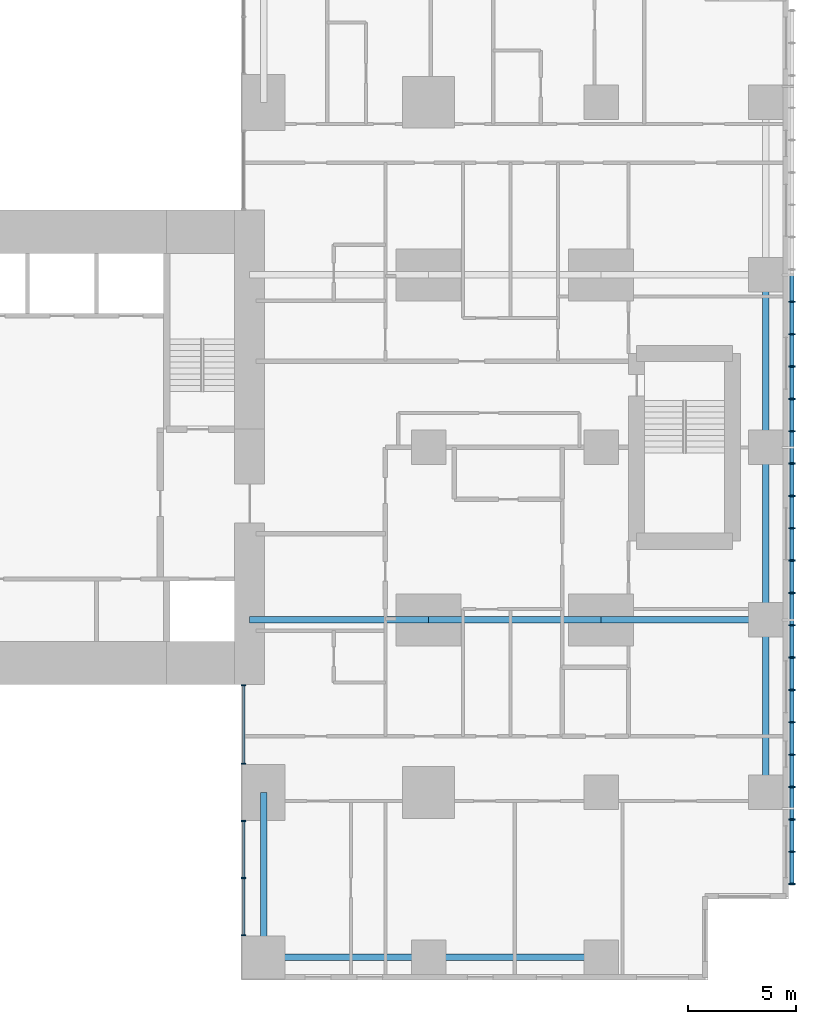
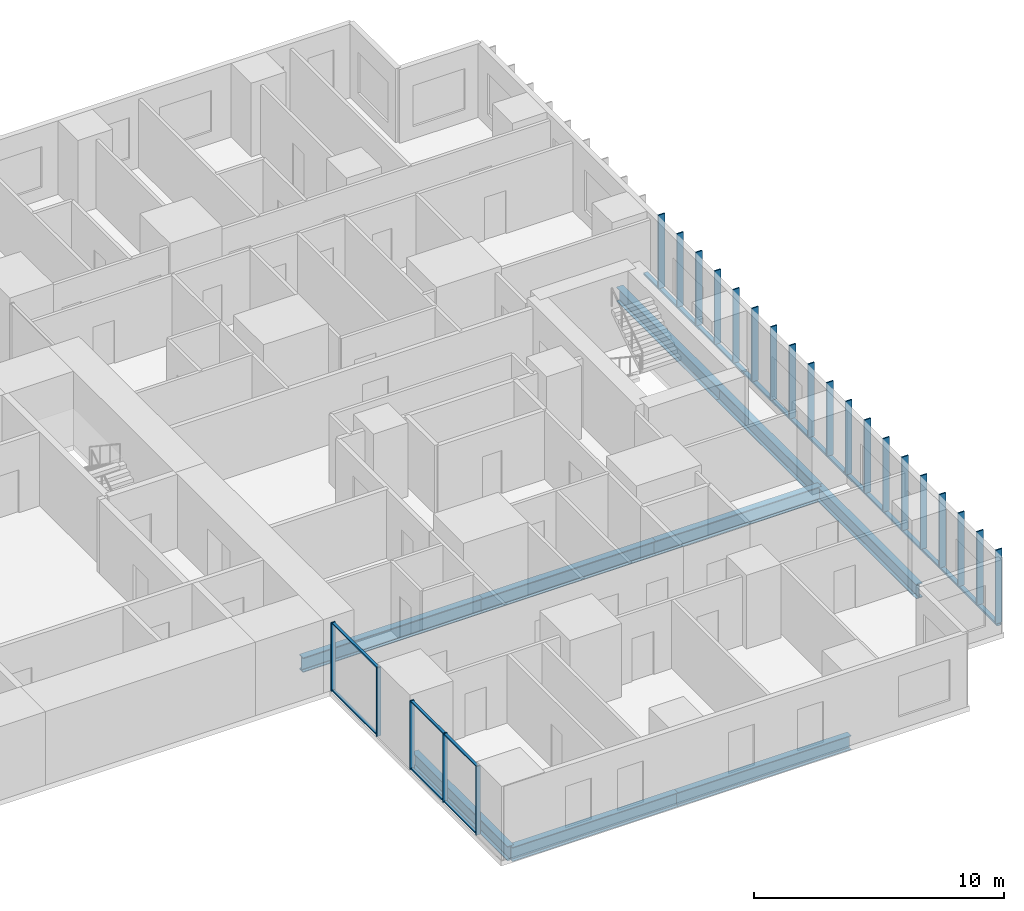
# One storey, part 2 of 12: 33 members, 9 beams, 2 elements without a shape of their own.
"""IFC4 building model written with IfcOpenShell, lengths in metres."""

import ifcopenshell
import ifcopenshell.guid

model = None  # the IFC model being written
_history = None  # IfcOwnerHistory: only IFC2X3 demands one
_inside = {}  # id of a spatial element -> (the spatial element, [elements in it])
_under = {}  # id of a project, library or spatial element -> (it, [spatial elements below it])
_declared = {}  # id of a project -> (the project, [libraries it declares])
_typed = {}  # id of a type object -> (the type object, [elements of that type])
_made_of = {}  # id of a material, layer set ... -> (it, [elements and type objects made of it])


def new_model(schema):
    """Start an empty IFC model of exactly this schema.

    Asked for "IFC4X3", IfcOpenShell would pick the latest addendum, in which some entities
    have other attributes; the version numbers below select the first issue.
    IFC2X3 requires an IfcOwnerHistory on every rooted entity: one is made here for all.
    """
    global model, _history
    if schema == "IFC4X3":
        model = ifcopenshell.file(schema_version=(4, 3, 0, 0))
    else:
        model = ifcopenshell.file(schema=schema)
    _inside.clear()
    _under.clear()
    _declared.clear()
    _typed.clear()
    _made_of.clear()
    _history = None
    if model.schema == "IFC2X3":
        org = make("IfcOrganization", Name="unknown")
        user = make(
            "IfcPersonAndOrganization",
            ThePerson=make("IfcPerson", FamilyName="unknown"),
            TheOrganization=org,
        )
        app = make(
            "IfcApplication",
            ApplicationDeveloper=org,
            Version="unknown",
            ApplicationFullName="unknown",
            ApplicationIdentifier="unknown",
        )
        _history = make(
            "IfcOwnerHistory",
            OwningUser=user,
            OwningApplication=app,
            ChangeAction="ADDED",
            CreationDate=0,
        )
    return model


def make(cls, **values):
    """One entity of the class cls with the attributes given. An attribute that is None is left unset."""
    return model.create_entity(
        cls, **{name: value for name, value in values.items() if value is not None}
    )


def rooted(cls, **values):
    """An entity with a GlobalId (a new one), such as an element, a storey or a relation."""
    return make(cls, GlobalId=ifcopenshell.guid.new(), OwnerHistory=_history, **values)


def si_unit(unit_type, name, prefix=None):
    """IfcSIUnit, for example si_unit("LENGTHUNIT", "METRE", prefix="MILLI")."""
    return make("IfcSIUnit", UnitType=unit_type, Prefix=prefix, Name=name)


def assignment(units):
    """IfcUnitAssignment: the units of a project."""
    return None if units is None else make("IfcUnitAssignment", Units=units)


def point(xyz):
    """IfcCartesianPoint."""
    return None if xyz is None else make("IfcCartesianPoint", Coordinates=xyz)


def direction(xyz):
    """IfcDirection."""
    return None if xyz is None else make("IfcDirection", DirectionRatios=xyz)


def frame(location, z_axis=None, x_axis=None):
    """IfcAxis2Placement3D, a coordinate frame: its origin and axes. An axis left out is left unset."""
    return make(
        "IfcAxis2Placement3D",
        Location=point(location),
        Axis=direction(z_axis),
        RefDirection=direction(x_axis),
    )


def frame_2d(location, x_axis=None):
    """IfcAxis2Placement2D, a coordinate frame in the plane: its origin and x axis."""
    return make(
        "IfcAxis2Placement2D", Location=point(location), RefDirection=direction(x_axis)
    )


def origin():
    """The frame at (0, 0, 0) with its axes left unset."""
    return frame((0.0, 0.0, 0.0))


def origin_2d():
    """The frame at (0, 0) in the plane with its x axis left unset."""
    return frame_2d((0.0, 0.0))


def place(relative_to, where):
    """IfcLocalPlacement: puts the frame where relative to a parent placement (None: the world)."""
    return make(
        "IfcLocalPlacement", PlacementRelTo=relative_to, RelativePlacement=where
    )


def context(
    kind, dimensions, precision=None, world=None, true_north=None, identifier=None
):
    """IfcGeometricRepresentationContext, for example the 3D "Model" context."""
    return make(
        "IfcGeometricRepresentationContext",
        ContextIdentifier=identifier,
        ContextType=kind,
        CoordinateSpaceDimension=dimensions,
        Precision=precision,
        WorldCoordinateSystem=world,
        TrueNorth=true_north,
    )


def subcontext(parent, identifier, kind, view, scale=None):
    """IfcGeometricRepresentationSubContext, for example "Body" below "Model"."""
    return make(
        "IfcGeometricRepresentationSubContext",
        ContextIdentifier=identifier,
        ContextType=kind,
        ParentContext=parent,
        TargetScale=scale,
        TargetView=view,
    )


def project(units=None, contexts=None):
    """IfcProject with its units and contexts."""
    return rooted(
        "IfcProject",
        Name="project",
        RepresentationContexts=contexts,
        UnitsInContext=assignment(units),
    )


def spatial(cls, under=None, at=None, **own):
    """A site, building, storey or space (cls), placed at a placement, below another one or the project."""
    s = rooted(cls, ObjectPlacement=at, **own)
    if under is not None:
        _under.setdefault(under.id(), (under, []))[1].append(s)
    return s


def profile(cls, at=None, kind="AREA", **sizes):
    """A parametric profile (cls). Its sizes go by their IFC names, for example OverallWidth=200.0."""
    return make(cls, ProfileType=kind, Position=at, **sizes)


def rectangle(**sizes):
    """IfcRectangleProfileDef."""
    return profile("IfcRectangleProfileDef", **sizes)


def hollow_rectangle(**sizes):
    """IfcRectangleHollowProfileDef."""
    return profile("IfcRectangleHollowProfileDef", **sizes)


def i_section(**sizes):
    """IfcIShapeProfileDef."""
    return profile("IfcIShapeProfileDef", **sizes)


def extrude(swept, where, along, depth):
    """IfcExtrudedAreaSolid: the profile swept, set in the frame where, extruded along a direction by depth."""
    return make(
        "IfcExtrudedAreaSolid",
        SweptArea=swept,
        Position=where,
        ExtrudedDirection=direction(along),
        Depth=depth,
    )


def shape(context_of_items, identifier, shape_type, items):
    """IfcShapeRepresentation: the items that make up one representation, for example the "Body"."""
    return make(
        "IfcShapeRepresentation",
        ContextOfItems=context_of_items,
        RepresentationIdentifier=identifier,
        RepresentationType=shape_type,
        Items=items,
    )


def material(Name=None, Category=None):
    """IfcMaterial."""
    return make("IfcMaterial", Name=Name, Category=Category)


def layer(
    of_material, thickness, ventilated=None, Name=None, Category=None, Priority=None
):
    """IfcMaterialLayer: one layer of a wall or slab, of a material (None: an air gap)."""
    return make(
        "IfcMaterialLayer",
        Material=of_material,
        LayerThickness=thickness,
        IsVentilated=ventilated,
        Name=Name,
        Category=Category,
        Priority=Priority,
    )


def layer_set(layers, Name=None):
    """IfcMaterialLayerSet."""
    return make("IfcMaterialLayerSet", MaterialLayers=layers, LayerSetName=Name)


def material_profile(
    of_material, cross_section, Name=None, Category=None, Priority=None
):
    """IfcMaterialProfile: a cross section and its material."""
    return make(
        "IfcMaterialProfile",
        Name=Name,
        Material=of_material,
        Profile=cross_section,
        Priority=Priority,
        Category=Category,
    )


def profile_set(profiles, Name=None, composite=None):
    """IfcMaterialProfileSet."""
    return make(
        "IfcMaterialProfileSet",
        Name=Name,
        MaterialProfiles=profiles,
        CompositeProfile=composite,
    )


def made_of(thing, what):
    """Note that an element or type object is made of a material, layer set ...; save() writes the relation."""
    if what is not None:
        _made_of.setdefault(what.id(), (what, []))[1].append(thing)
    return thing


def type_object(cls, material=None, **own):
    """A type object (cls), such as IfcWallType, which elements share."""
    return made_of(rooted(cls, **own), material)


def element(
    cls,
    number,
    at=None,
    inside=None,
    cuts=None,
    type_object=None,
    material=None,
    context=None,
    identifier="Body",
    shape_type=None,
    held_by="IfcProductDefinitionShape",
    body=None,
    shapes=None,
    **own,
):
    """One element of the class cls, such as IfcWall. Its Tag is "e" and its number.

    at: its placement. inside: the storey or other place that contains it. cuts: it is an
    opening in that element (IfcRelVoidsElement). A single representation is given by context,
    identifier, shape_type and body (its items); several are given by shapes. held_by: the class
    of the entity that holds the representations. save() writes the other relations.
    """
    e = rooted(cls, Tag="e%d" % number, ObjectPlacement=at, **own)
    if body is not None:
        shapes = [shape(context, identifier, shape_type, body)]
    if shapes is not None:
        e.Representation = make(held_by, Representations=shapes)
    if inside is not None:
        _inside.setdefault(inside.id(), (inside, []))[1].append(e)
    if cuts is not None:
        rooted(
            "IfcRelVoidsElement", RelatingBuildingElement=cuts, RelatedOpeningElement=e
        )
    if type_object is not None:
        _typed.setdefault(type_object.id(), (type_object, []))[1].append(e)
    return made_of(e, material)


def aggregate(whole, parts):
    """IfcRelAggregates: a whole, such as a stair, and the parts it consists of."""
    return rooted("IfcRelAggregates", RelatingObject=whole, RelatedObjects=parts)


def save(model, path):
    """Write the relations noted so far, then the file.

    IfcRelAggregates (storeys below a building ...), IfcRelContainedInSpatialStructure (elements
    in a storey), IfcRelDefinesByType, IfcRelAssociatesMaterial and IfcRelDeclares: one each for
    every whole, place, type object, material and project.
    """
    for whole, parts in _under.values():
        aggregate(whole, parts)
    for where, things in _inside.values():
        rooted(
            "IfcRelContainedInSpatialStructure",
            RelatedElements=things,
            RelatingStructure=where,
        )
    for kind, things in _typed.values():
        rooted("IfcRelDefinesByType", RelatedObjects=things, RelatingType=kind)
    for what, things in _made_of.values():
        rooted("IfcRelAssociatesMaterial", RelatedObjects=things, RelatingMaterial=what)
    for by, libraries in _declared.values():
        rooted("IfcRelDeclares", RelatingContext=by, RelatedDefinitions=libraries)
    model.write(path)


model = new_model("IFC4")

# Units and contexts
model_context = context("Model", 3, precision=1e-05, world=origin(), true_north=direction((0.0, 1.0)))
body_context = subcontext(model_context, "Body", "Model", "MODEL_VIEW")
ifc_project = project(units=[si_unit("LENGTHUNIT", "METRE"), si_unit("AREAUNIT", "SQUARE_METRE"), si_unit("VOLUMEUNIT", "CUBIC_METRE"), si_unit("PLANEANGLEUNIT", "RADIAN"), si_unit("MASSUNIT", "GRAM", prefix="KILO")], contexts=[model_context])

# Site, building, storey
site_placement = place(None, origin())
site = spatial("IfcSite", under=ifc_project, at=site_placement, CompositionType="ELEMENT")
building_placement = place(site_placement, origin())
building = spatial("IfcBuilding", under=site, at=building_placement, Name="Cleftline Residences", CompositionType="ELEMENT")
storey_placement = place(building_placement, frame((0.0, 0.0, 262.800048828125)))
storey = spatial("IfcBuildingStorey", under=building, at=storey_placement, Name="L69", CompositionType="ELEMENT", Elevation=262.800048828125)

# Members
ifc_material_1 = material(Name="Steel S355, hot-dip galvanised", Category="steel")
ifc_material_profile_1 = material_profile(ifc_material_1, hollow_rectangle(XDim=0.10009765625, YDim=0.199951171875, WallThickness=0.008056640625, InnerFilletRadius=0.008056640625, OuterFilletRadius=0.011962890625, at=origin_2d()))
ifc_profile_set_1 = profile_set([ifc_material_profile_1], Name="Steel S355, hot-dip galvanised")
member_type_1 = type_object("IfcMemberType", Name="BAGUETTE CARRIER RHS 200X100X8", PredefinedType="USERDEFINED", material=ifc_profile_set_1)
member_1_placement = place(storey_placement, frame((66.85009765625, 3.699951171875, -0.050048828125), z_axis=(0.0, 1.0, 0.0), x_axis=(0.0, 0.0, 1.0)))
element("IfcMember", 1, at=member_1_placement, inside=storey, type_object=member_type_1, Name="Baguette carrier", ObjectType="BAGUETTE CARRIER", PredefinedType="USERDEFINED", context=body_context, shape_type="SweptSolid", body=[
    extrude(hollow_rectangle(XDim=0.10009765625, YDim=0.199951171875, WallThickness=0.008056640625, InnerFilletRadius=0.008056640625, OuterFilletRadius=0.011962890625, at=origin_2d()), origin(), (0.0, 0.0, 1.0), 12.300048828125),
])
for number, where, z_axis, x_axis, name in (
    (2, (66.85009765625, 16.0, -0.050048828125), (0.0, 1.0, 0.0), (0.0, 0.0, 1.0), "Baguette carrier"),
    (3, (66.85009765625, 24.0, -0.050048828125), (0.0, 1.0, 0.0), (0.0, 0.0, 1.0), "Baguette carrier"),
):
    element("IfcMember", number, at=place(storey_placement, frame(where, z_axis=z_axis, x_axis=x_axis)), inside=storey, type_object=member_type_1, Name=name, ObjectType="BAGUETTE CARRIER", PredefinedType="USERDEFINED", context=body_context, shape_type="SweptSolid", body=[
        extrude(hollow_rectangle(XDim=0.10009765625, YDim=0.199951171875, WallThickness=0.008056640625, InnerFilletRadius=0.008056640625, OuterFilletRadius=0.011962890625, at=origin_2d()), origin(), (0.0, 0.0, 1.0), 8.0),
    ])

# Beams
ifc_material_2 = material(Name="Steel S355", Category="steel")
ifc_material_profile_2 = material_profile(ifc_material_2, i_section(OverallWidth=0.300048828125, OverallDepth=0.699951171875, WebThickness=0.01708984375, FlangeThickness=0.031982421875, FilletRadius=0.027099609375, at=origin_2d()))
ifc_profile_set_2 = profile_set([ifc_material_profile_2], Name="Steel S355")
beam_type_1 = type_object("IfcBeamType", Name="BEAM HEB 700", PredefinedType="BEAM", material=ifc_profile_set_2)
for number, where, z_axis, x_axis, name in (
    (4, (65.64990234375, 8.0, -0.60009765625), (0.0, 1.0, 0.0), (-1.0, 0.0, 0.0), "Edge beam"),
    (5, (65.64990234375, 16.0, -0.60009765625), (0.0, 1.0, 0.0), (-1.0, 0.0, 0.0), "Edge beam"),
    (6, (65.64990234375, 24.0, -0.60009765625), (0.0, 1.0, 0.0), (-1.0, 0.0, 0.0), "Edge beam"),
    (7, (58.0, 0.35009765625, -0.60009765625), (-1.0, 0.0, 0.0), (0.0, -1.0, 0.0), "Edge beam"),
):
    element("IfcBeam", number, at=place(storey_placement, frame(where, z_axis=z_axis, x_axis=x_axis)), inside=storey, type_object=beam_type_1, Name=name, PredefinedType="BEAM", context=body_context, shape_type="SweptSolid", body=[
        extrude(i_section(OverallWidth=0.300048828125, OverallDepth=0.699951171875, WebThickness=0.01708984375, FlangeThickness=0.031982421875, FilletRadius=0.027099609375, at=origin_2d()), origin(), (0.0, 0.0, 1.0), 8.0),
    ])
for number, where, z_axis, x_axis, name in (
    (8, (50.0, 0.35009765625, -0.60009765625), (-1.0, 0.0, 0.0), (0.0, -1.0, 0.0), "Edge beam"),
    (9, (42.35009765625, 0.35009765625, -0.60009765625), (0.0, 1.0, 0.0), (-1.0, 0.0, 0.0), "Edge beam"),
):
    element("IfcBeam", number, at=place(storey_placement, frame(where, z_axis=z_axis, x_axis=x_axis)), inside=storey, type_object=beam_type_1, Name=name, PredefinedType="BEAM", context=body_context, shape_type="SweptSolid", body=[
        extrude(i_section(OverallWidth=0.300048828125, OverallDepth=0.699951171875, WebThickness=0.01708984375, FlangeThickness=0.031982421875, FilletRadius=0.027099609375, at=origin_2d()), origin(), (0.0, 0.0, 1.0), 7.64990234375),
    ])
ifc_material_3 = material(Name="Steel S355", Category="steel")
ifc_material_profile_3 = material_profile(ifc_material_3, i_section(OverallWidth=0.303955078125, OverallDepth=0.716064453125, WebThickness=0.02099609375, FlangeThickness=0.0400390625, FilletRadius=0.027099609375, at=origin_2d()))
ifc_profile_set_3 = profile_set([ifc_material_profile_3], Name="Steel S355")
beam_type_2 = type_object("IfcBeamType", Name="BEAM HEM 700", PredefinedType="BEAM", material=ifc_profile_set_3)
beam_1_placement = place(storey_placement, frame((65.64990234375, 16.0, -0.608154296875), z_axis=(-1.0, 0.0, 0.0), x_axis=(0.0, -1.0, 0.0)))
element("IfcBeam", 10, at=beam_1_placement, inside=storey, type_object=beam_type_2, Name="Band beam", PredefinedType="BEAM", context=body_context, shape_type="SweptSolid", body=[
    extrude(i_section(OverallWidth=0.303955078125, OverallDepth=0.716064453125, WebThickness=0.02099609375, FlangeThickness=0.0400390625, FilletRadius=0.027099609375, at=origin_2d()), origin(), (0.0, 0.0, 1.0), 7.64990234375),
])
beam_2_placement = place(storey_placement, frame((58.0, 16.0, -0.608154296875), z_axis=(-1.0, 0.0, 0.0), x_axis=(0.0, -1.0, 0.0)))
element("IfcBeam", 11, at=beam_2_placement, inside=storey, type_object=beam_type_2, Name="Band beam", PredefinedType="BEAM", context=body_context, shape_type="SweptSolid", body=[
    extrude(i_section(OverallWidth=0.303955078125, OverallDepth=0.716064453125, WebThickness=0.02099609375, FlangeThickness=0.0400390625, FilletRadius=0.027099609375, at=origin_2d()), origin(), (0.0, 0.0, 1.0), 8.0),
])
beam_3_placement = place(storey_placement, frame((50.0, 16.0, -0.608154296875), z_axis=(-1.0, 0.0, 0.0), x_axis=(0.0, -1.0, 0.0)))
element("IfcBeam", 12, at=beam_3_placement, inside=storey, type_object=beam_type_2, Name="Band beam", PredefinedType="BEAM", context=body_context, shape_type="SweptSolid", body=[
    extrude(i_section(OverallWidth=0.303955078125, OverallDepth=0.716064453125, WebThickness=0.02099609375, FlangeThickness=0.0400390625, FilletRadius=0.027099609375, at=origin_2d()), origin(), (0.0, 0.0, 1.0), 8.300048828125),
])

# Curtain wall, members
ifc_material_4 = material(Name="Aluminium framed curtain wall", Category="aluminium")
ifc_layer = layer(ifc_material_4, 0.199951171875)
ifc_layer_set = layer_set([ifc_layer], Name="CW1 CLEFT GLAZING")
curtain_wall_type = type_object("IfcCurtainWallType", Name="CW1 CLEFT GLAZING", PredefinedType="NOTDEFINED", material=ifc_layer_set)
curtain_wall_1_placement = place(storey_placement, origin())
curtain_wall_1 = element("IfcCurtainWall", 13, at=curtain_wall_1_placement, inside=storey, type_object=curtain_wall_type, Name="Curtain wall CW1", PredefinedType="NOTDEFINED")
ifc_material_5 = material(Name="Aluminium mullion", Category="aluminium")
ifc_material_profile_4 = material_profile(ifc_material_5, rectangle(XDim=0.199951171875, YDim=0.06005859375, at=origin_2d()))
ifc_profile_set_4 = profile_set([ifc_material_profile_4], Name="Aluminium mullion")
member_type_2 = type_object("IfcMemberType", Name="CW1 MULLION", PredefinedType="MULLION", material=ifc_profile_set_4)
member_2_placement = place(storey_placement, frame((41.425048828125, 12.969970703125, 0.0), z_axis=(0.0, 0.0, 1.0), x_axis=(1.0, 0.0, 0.0)))
member_2 = element("IfcMember", 14, at=member_2_placement, type_object=member_type_2, Name="CW1 mullion 1", PredefinedType="MULLION", context=body_context, shape_type="SweptSolid", body=[
    extrude(rectangle(XDim=0.199951171875, YDim=0.06005859375, at=origin_2d()), origin(), (0.0, 0.0, 1.0), 3.349853515625),
])
member_3_placement = place(storey_placement, frame((41.425048828125, 9.330078125, 0.0), z_axis=(0.0, 0.0, 1.0), x_axis=(1.0, 0.0, 0.0)))
member_3 = element("IfcMember", 15, at=member_3_placement, type_object=member_type_2, Name="CW1 mullion 2", PredefinedType="MULLION", context=body_context, shape_type="SweptSolid", body=[
    extrude(rectangle(XDim=0.199951171875, YDim=0.06005859375, at=origin_2d()), origin(), (0.0, 0.0, 1.0), 3.349853515625),
])

curtain_wall_2_placement = place(storey_placement, origin())
curtain_wall_2 = element("IfcCurtainWall", 16, at=curtain_wall_2_placement, inside=storey, type_object=curtain_wall_type, Name="Curtain wall CW1", PredefinedType="NOTDEFINED")
member_4_placement = place(storey_placement, frame((41.425048828125, 6.669921875, 0.0), z_axis=(0.0, 0.0, 1.0), x_axis=(1.0, 0.0, 0.0)))
member_4 = element("IfcMember", 17, at=member_4_placement, type_object=member_type_2, Name="CW1 mullion 1", PredefinedType="MULLION", context=body_context, shape_type="SweptSolid", body=[
    extrude(rectangle(XDim=0.199951171875, YDim=0.06005859375, at=origin_2d()), origin(), (0.0, 0.0, 1.0), 3.349853515625),
])
member_5_placement = place(storey_placement, frame((41.425048828125, 4.02490234375, 0.0), z_axis=(0.0, 0.0, 1.0), x_axis=(1.0, 0.0, 0.0)))
member_5 = element("IfcMember", 18, at=member_5_placement, type_object=member_type_2, Name="CW1 mullion 2", PredefinedType="MULLION", context=body_context, shape_type="SweptSolid", body=[
    extrude(rectangle(XDim=0.199951171875, YDim=0.06005859375, at=origin_2d()), origin(), (0.0, 0.0, 1.0), 3.349853515625),
])
member_6_placement = place(storey_placement, frame((41.425048828125, 1.3798828125, 0.0), z_axis=(0.0, 0.0, 1.0), x_axis=(1.0, 0.0, 0.0)))
member_6 = element("IfcMember", 19, at=member_6_placement, type_object=member_type_2, Name="CW1 mullion 3", PredefinedType="MULLION", context=body_context, shape_type="SweptSolid", body=[
    extrude(rectangle(XDim=0.199951171875, YDim=0.06005859375, at=origin_2d()), origin(), (0.0, 0.0, 1.0), 3.349853515625),
])

# Member
ifc_material_6 = material(Name="Aluminium transom", Category="aluminium")
ifc_material_profile_5 = material_profile(ifc_material_6, rectangle(XDim=0.1201171875, YDim=0.06005859375, at=origin_2d()))
ifc_profile_set_5 = profile_set([ifc_material_profile_5], Name="Aluminium transom")
member_type_3 = type_object("IfcMemberType", Name="CW1 TRANSOM", PredefinedType="USERDEFINED", material=ifc_profile_set_5)
member_7_placement = place(storey_placement, frame((41.425048828125, 12.93994140625, 0.030029296875), z_axis=(0.0, -1.0, 0.0), x_axis=(1.0, 0.0, 0.0)))
member_7 = element("IfcMember", 20, at=member_7_placement, type_object=member_type_3, Name="CW1 transom 1.1", ObjectType="TRANSOM", PredefinedType="USERDEFINED", context=body_context, shape_type="SweptSolid", body=[
    extrude(rectangle(XDim=0.1201171875, YDim=0.06005859375, at=origin_2d()), origin(), (0.0, 0.0, 1.0), 3.579833984375),
])

member_8_placement = place(storey_placement, frame((41.425048828125, 12.93994140625, 3.320068359375), z_axis=(0.0, -1.0, 0.0), x_axis=(1.0, 0.0, 0.0)))
member_8 = element("IfcMember", 21, at=member_8_placement, type_object=member_type_3, Name="CW1 transom 1.2", ObjectType="TRANSOM", PredefinedType="USERDEFINED", context=body_context, shape_type="SweptSolid", body=[
    extrude(rectangle(XDim=0.1201171875, YDim=0.06005859375, at=origin_2d()), origin(), (0.0, 0.0, 1.0), 3.579833984375),
])

aggregate(curtain_wall_1, [member_2, member_3, member_7, member_8])

member_9_placement = place(storey_placement, frame((41.425048828125, 6.639892578125, 0.030029296875), z_axis=(0.0, -1.0, 0.0), x_axis=(1.0, 0.0, 0.0)))
member_9 = element("IfcMember", 22, at=member_9_placement, type_object=member_type_3, Name="CW1 transom 1.1", ObjectType="TRANSOM", PredefinedType="USERDEFINED", context=body_context, shape_type="SweptSolid", body=[
    extrude(rectangle(XDim=0.1201171875, YDim=0.06005859375, at=origin_2d()), origin(), (0.0, 0.0, 1.0), 2.5849609375),
])

member_10_placement = place(storey_placement, frame((41.425048828125, 6.639892578125, 3.320068359375), z_axis=(0.0, -1.0, 0.0), x_axis=(1.0, 0.0, 0.0)))
member_10 = element("IfcMember", 23, at=member_10_placement, type_object=member_type_3, Name="CW1 transom 1.2", ObjectType="TRANSOM", PredefinedType="USERDEFINED", context=body_context, shape_type="SweptSolid", body=[
    extrude(rectangle(XDim=0.1201171875, YDim=0.06005859375, at=origin_2d()), origin(), (0.0, 0.0, 1.0), 2.5849609375),
])

member_11_placement = place(storey_placement, frame((41.425048828125, 3.9951171875, 0.030029296875), z_axis=(0.0, -1.0, 0.0), x_axis=(1.0, 0.0, 0.0)))
member_11 = element("IfcMember", 24, at=member_11_placement, type_object=member_type_3, Name="CW1 transom 2.1", ObjectType="TRANSOM", PredefinedType="USERDEFINED", context=body_context, shape_type="SweptSolid", body=[
    extrude(rectangle(XDim=0.1201171875, YDim=0.06005859375, at=origin_2d()), origin(), (0.0, 0.0, 1.0), 2.585205078125),
])

member_12_placement = place(storey_placement, frame((41.425048828125, 3.9951171875, 3.320068359375), z_axis=(0.0, -1.0, 0.0), x_axis=(1.0, 0.0, 0.0)))
member_12 = element("IfcMember", 25, at=member_12_placement, type_object=member_type_3, Name="CW1 transom 2.2", ObjectType="TRANSOM", PredefinedType="USERDEFINED", context=body_context, shape_type="SweptSolid", body=[
    extrude(rectangle(XDim=0.1201171875, YDim=0.06005859375, at=origin_2d()), origin(), (0.0, 0.0, 1.0), 2.585205078125),
])

aggregate(curtain_wall_2, [member_4, member_5, member_6, member_9, member_10, member_11, member_12])

# Members
ifc_material_7 = material(Name="Extruded terracotta", Category="masonry")
ifc_material_profile_6 = material_profile(ifc_material_7, rectangle(XDim=0.06005859375, YDim=0.300048828125, at=origin_2d()))
ifc_profile_set_6 = profile_set([ifc_material_profile_6], Name="Extruded terracotta")
member_type_4 = type_object("IfcMemberType", Name="TERRACOTTA BAGUETTE 60X300", PredefinedType="USERDEFINED", material=ifc_profile_set_6)
for number, where, z_axis, x_axis, name in (
    (26, (66.85009765625, 3.75, 0.0), (0.0, 0.0, 1.0), (0.0, 1.0, 0.0), "Terracotta baguette"),
    (27, (66.85009765625, 5.25, 0.0), (0.0, 0.0, 1.0), (0.0, 1.0, 0.0), "Terracotta baguette"),
    (28, (66.85009765625, 6.75, 0.0), (0.0, 0.0, 1.0), (0.0, 1.0, 0.0), "Terracotta baguette"),
    (29, (66.85009765625, 8.25, 0.0), (0.0, 0.0, 1.0), (0.0, 1.0, 0.0), "Terracotta baguette"),
    (30, (66.85009765625, 9.75, 0.0), (0.0, 0.0, 1.0), (0.0, 1.0, 0.0), "Terracotta baguette"),
    (31, (66.85009765625, 11.25, 0.0), (0.0, 0.0, 1.0), (0.0, 1.0, 0.0), "Terracotta baguette"),
    (32, (66.85009765625, 12.75, 0.0), (0.0, 0.0, 1.0), (0.0, 1.0, 0.0), "Terracotta baguette"),
    (33, (66.85009765625, 14.25, 0.0), (0.0, 0.0, 1.0), (0.0, 1.0, 0.0), "Terracotta baguette"),
    (34, (66.85009765625, 15.75, 0.0), (0.0, 0.0, 1.0), (0.0, 1.0, 0.0), "Terracotta baguette"),
    (35, (66.85009765625, 17.25, 0.0), (0.0, 0.0, 1.0), (0.0, 1.0, 0.0), "Terracotta baguette"),
    (36, (66.85009765625, 18.75, 0.0), (0.0, 0.0, 1.0), (0.0, 1.0, 0.0), "Terracotta baguette"),
    (37, (66.85009765625, 20.25, 0.0), (0.0, 0.0, 1.0), (0.0, 1.0, 0.0), "Terracotta baguette"),
    (38, (66.85009765625, 21.75, 0.0), (0.0, 0.0, 1.0), (0.0, 1.0, 0.0), "Terracotta baguette"),
    (39, (66.85009765625, 23.25, 0.0), (0.0, 0.0, 1.0), (0.0, 1.0, 0.0), "Terracotta baguette"),
    (40, (66.85009765625, 24.75, 0.0), (0.0, 0.0, 1.0), (0.0, 1.0, 0.0), "Terracotta baguette"),
    (41, (66.85009765625, 26.25, 0.0), (0.0, 0.0, 1.0), (0.0, 1.0, 0.0), "Terracotta baguette"),
    (42, (66.85009765625, 27.75, 0.0), (0.0, 0.0, 1.0), (0.0, 1.0, 0.0), "Terracotta baguette"),
    (43, (66.85009765625, 29.25, 0.0), (0.0, 0.0, 1.0), (0.0, 1.0, 0.0), "Terracotta baguette"),
    (44, (66.85009765625, 30.75, 0.0), (0.0, 0.0, 1.0), (0.0, 1.0, 0.0), "Terracotta baguette"),
):
    element("IfcMember", number, at=place(storey_placement, frame(where, z_axis=z_axis, x_axis=x_axis)), inside=storey, type_object=member_type_4, Name=name, ObjectType="BAGUETTE", PredefinedType="USERDEFINED", context=body_context, shape_type="SweptSolid", body=[
        extrude(rectangle(XDim=0.06005859375, YDim=0.300048828125, at=origin_2d()), origin(), (0.0, 0.0, 1.0), 3.599853515625),
    ])

save(model, "model.ifc")
